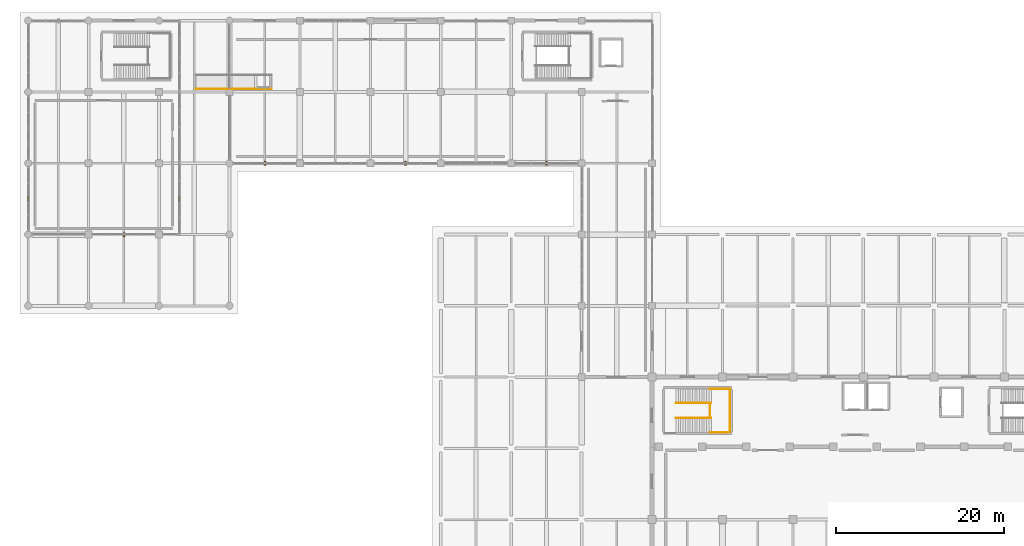
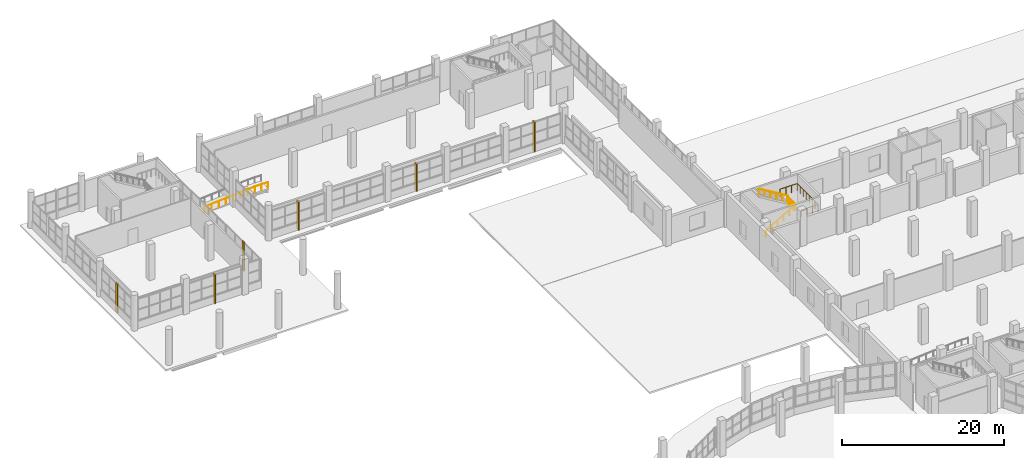
# One storey, part 101 of 107: 6 coverings, 5 railings.
"""IFC4 building model written with IfcOpenShell, lengths in metres."""

from ifc_helpers import new_model, si_unit, direction, frame, origin, origin_2d, place, context, subcontext, project, spatial, rectangle, circle, extrude, material, layer, layer_set, type_object, element, save


model = new_model("IFC4")

# Units and contexts
model_context = context("Model", 3, precision=1e-05, world=origin(), true_north=direction((0.0, 1.0)))
body_context = subcontext(model_context, "Body", "Model", "MODEL_VIEW")
ifc_project = project(units=[si_unit("LENGTHUNIT", "METRE"), si_unit("AREAUNIT", "SQUARE_METRE"), si_unit("VOLUMEUNIT", "CUBIC_METRE"), si_unit("PLANEANGLEUNIT", "RADIAN"), si_unit("MASSUNIT", "GRAM", prefix="KILO")], contexts=[model_context])

# Site, building, storey
site_placement = place(None, origin())
site = spatial("IfcSite", under=ifc_project, at=site_placement, CompositionType="ELEMENT")
building_placement = place(site_placement, origin())
building = spatial("IfcBuilding", under=site, at=building_placement, Name="Solvento Point Concert Hall", CompositionType="ELEMENT")
storey_placement = place(building_placement, origin())
storey = spatial("IfcBuildingStorey", under=building, at=storey_placement, Name="L00", CompositionType="ELEMENT", Elevation=0.0)

# Coverings
ifc_material_1 = material(Name="Precast concrete C45/55", Category="concrete")
ifc_layer = layer(ifc_material_1, 0.179931640625)
ifc_layer_set = layer_set([ifc_layer], Name="Precast concrete C45/55")
covering_type = type_object("IfcCoveringType", Name="BriseSoleilFin_Precast", PredefinedType="CLADDING", material=ifc_layer_set)
covering_1_placement = place(storey_placement, frame((28.20751953125, 119.0, 0.0), z_axis=(0.0, 0.0, 1.0), x_axis=(1.0, 0.0, 0.0)))
element("IfcCovering", 1, at=covering_1_placement, inside=storey, type_object=covering_type, Name="Precast concrete vertical solar fin BSF-01", PredefinedType="CLADDING", context=body_context, shape_type="SweptSolid", body=[
    extrude(rectangle(XDim=0.179931640625, YDim=0.47998046875, at=origin_2d()), origin(), (0.0, 0.0, 1.0), 4.2451171875),
])
covering_2_placement = place(storey_placement, frame((45.0, 119.0, 0.0), z_axis=(0.0, 0.0, 1.0), x_axis=(1.0, 0.0, 0.0)))
element("IfcCovering", 2, at=covering_2_placement, inside=storey, type_object=covering_type, Name="Precast concrete vertical solar fin BSF-01", PredefinedType="CLADDING", context=body_context, shape_type="SweptSolid", body=[
    extrude(rectangle(XDim=0.179931640625, YDim=0.47998046875, at=origin_2d()), origin(), (0.0, 0.0, 1.0), 4.077880859375),
])
covering_3_placement = place(storey_placement, frame((61.800048828125, 119.0, 0.0), z_axis=(0.0, 0.0, 1.0), x_axis=(1.0, 0.0, 0.0)))
element("IfcCovering", 3, at=covering_3_placement, inside=storey, type_object=covering_type, Name="Precast concrete vertical solar fin BSF-01", PredefinedType="CLADDING", context=body_context, shape_type="SweptSolid", body=[
    extrude(rectangle(XDim=0.179931640625, YDim=0.47998046875, at=origin_2d()), origin(), (0.0, 0.0, 1.0), 4.49609375),
])
covering_4_placement = place(storey_placement, frame((18.0, 114.75, 0.0), z_axis=(0.0, 0.0, 1.0), x_axis=(1.0, 0.0, 0.0)))
element("IfcCovering", 4, at=covering_4_placement, inside=storey, type_object=covering_type, Name="Precast concrete vertical solar fin BSF-01", PredefinedType="CLADDING", context=body_context, shape_type="SweptSolid", body=[
    extrude(rectangle(XDim=0.179931640625, YDim=0.47998046875, at=origin_2d()), origin(), (0.0, 0.0, 1.0), 4.333984375),
])
covering_5_placement = place(storey_placement, frame((11.39990234375, 110.5, 0.0), z_axis=(0.0, 0.0, 1.0), x_axis=(1.0, 0.0, 0.0)))
element("IfcCovering", 5, at=covering_5_placement, inside=storey, type_object=covering_type, Name="Precast concrete vertical solar fin BSF-01", PredefinedType="CLADDING", context=body_context, shape_type="SweptSolid", body=[
    extrude(rectangle(XDim=0.179931640625, YDim=0.47998046875, at=origin_2d()), origin(), (0.0, 0.0, 1.0), 4.303955078125),
])
covering_6_placement = place(storey_placement, frame((0.0, 114.75, 0.0), z_axis=(0.0, 0.0, 1.0), x_axis=(1.0, 0.0, 0.0)))
element("IfcCovering", 6, at=covering_6_placement, inside=storey, type_object=covering_type, Name="Precast concrete vertical solar fin BSF-01", PredefinedType="CLADDING", context=body_context, shape_type="SweptSolid", body=[
    extrude(rectangle(XDim=0.179931640625, YDim=0.47998046875, at=origin_2d()), origin(), (0.0, 0.0, 1.0), 4.333984375),
])

# Railings
ifc_material_2 = material(Name="Brushed Stainless Steel Balustrade", Category="steel")
railing_type_1 = type_object("IfcRailingType", Name="StairHandrail_915", PredefinedType="HANDRAIL", material=ifc_material_2)
railing_1_placement = place(storey_placement, frame((77.25, 88.610107421875, 0.168701171875)))
element("IfcRailing", 7, at=railing_1_placement, inside=storey, type_object=railing_type_1, Name="Stair handrail HR-01 VOM-03 L00 F1", PredefinedType="HANDRAIL", context=body_context, shape_type="SweptSolid", body=[
    extrude(circle(Radius=0.0224609375, at=origin_2d()), frame((0.0, 0.0, 0.892578125), z_axis=(0.856476492594, 0.0, 0.516186030065), x_axis=(0.0, 1.0, 0.0)), (0.0, 0.0, 1.0), 4.90380859375),
    extrude(circle(Radius=0.01904296875, at=origin_2d()), origin(), (0.0, 0.0, 1.0), 0.8701171875),
    extrude(circle(Radius=0.01904296875, at=origin_2d()), frame((0.840087890625, 0.0, 0.50634765625)), (0.0, 0.0, 1.0), 0.8701171875),
    extrude(circle(Radius=0.01904296875, at=origin_2d()), frame((1.679931640625, 0.0, 1.012451171875)), (0.0, 0.0, 1.0), 0.8701171875),
    extrude(circle(Radius=0.01904296875, at=origin_2d()), frame((2.52001953125, 0.0, 1.518798828125)), (0.0, 0.0, 1.0), 0.8701171875),
    extrude(circle(Radius=0.01904296875, at=origin_2d()), frame((3.35986328125, 0.0, 2.02490234375)), (0.0, 0.0, 1.0), 0.8701171875),
    extrude(circle(Radius=0.01904296875, at=origin_2d()), frame((4.199951171875, 0.0, 2.53125)), (0.0, 0.0, 1.0), 0.8701171875),
])
railing_2_placement = place(storey_placement, frame((81.449951171875, 90.389892578125, 2.868896484375)))
element("IfcRailing", 8, at=railing_2_placement, inside=storey, type_object=railing_type_1, Name="Stair handrail HR-01 VOM-03 L00 F2", PredefinedType="HANDRAIL", context=body_context, shape_type="SweptSolid", body=[
    extrude(circle(Radius=0.0224609375, at=origin_2d()), frame((0.0, 0.0, 0.892578125), z_axis=(-0.856498503035, 0.0, 0.5161495077), x_axis=(0.0, -1.0, 0.0)), (0.0, 0.0, 1.0), 4.903564453125),
    extrude(circle(Radius=0.01904296875, at=origin_2d()), origin(), (0.0, 0.0, 1.0), 0.8701171875),
    extrude(circle(Radius=0.01904296875, at=origin_2d()), frame((-0.840087890625, 0.0, 0.506103515625)), (0.0, 0.0, 1.0), 0.8701171875),
    extrude(circle(Radius=0.01904296875, at=origin_2d()), frame((-1.679931640625, 0.0, 1.012451171875)), (0.0, 0.0, 1.0), 0.8701171875),
    extrude(circle(Radius=0.01904296875, at=origin_2d()), frame((-2.52001953125, 0.0, 1.5185546875)), (0.0, 0.0, 1.0), 0.8701171875),
    extrude(circle(Radius=0.01904296875, at=origin_2d()), frame((-3.35986328125, 0.0, 2.02490234375)), (0.0, 0.0, 1.0), 0.8701171875),
    extrude(circle(Radius=0.01904296875, at=origin_2d()), frame((-4.199951171875, 0.0, 2.531005859375)), (0.0, 0.0, 1.0), 0.8701171875),
])
railing_3_placement = place(storey_placement, frame((20.0, 127.860107421875, 0.0)))
element("IfcRailing", 9, at=railing_3_placement, inside=storey, type_object=railing_type_1, Name="Accessible ramp handrail HR-01 RMP-H3", PredefinedType="HANDRAIL", context=body_context, shape_type="SweptSolid", body=[
    extrude(circle(Radius=0.02099609375, at=origin_2d()), frame((0.0, 0.0, 0.89404296875), z_axis=(0.997094523106, 0.0, 0.076174221307), x_axis=(0.0, 1.0, 0.0)), (0.0, 0.0, 1.0), 7.220947265625),
    extrude(circle(Radius=0.02099609375, at=origin_2d()), frame((7.199951171875, 0.0, 1.444091796875), z_axis=(1.0, 0.0, 0.0), x_axis=(0.0, 1.0, 0.0)), (0.0, 0.0, 1.0), 1.85009765625),
    extrude(circle(Radius=0.01904296875, at=origin_2d()), origin(), (0.0, 0.0, 1.0), 0.873046875),
    extrude(circle(Radius=0.01904296875, at=origin_2d()), frame((1.028564453125, 0.0, 0.07861328125)), (0.0, 0.0, 1.0), 0.873046875),
    extrude(circle(Radius=0.01904296875, at=origin_2d()), frame((2.05712890625, 0.0, 0.1572265625)), (0.0, 0.0, 1.0), 0.873046875),
    extrude(circle(Radius=0.01904296875, at=origin_2d()), frame((3.085693359375, 0.0, 0.23583984375)), (0.0, 0.0, 1.0), 0.873046875),
    extrude(circle(Radius=0.01904296875, at=origin_2d()), frame((4.1142578125, 0.0, 0.314208984375)), (0.0, 0.0, 1.0), 0.873046875),
    extrude(circle(Radius=0.01904296875, at=origin_2d()), frame((5.142822265625, 0.0, 0.392822265625)), (0.0, 0.0, 1.0), 0.873046875),
    extrude(circle(Radius=0.01904296875, at=origin_2d()), frame((6.17138671875, 0.0, 0.471435546875)), (0.0, 0.0, 1.0), 0.873046875),
    extrude(circle(Radius=0.01904296875, at=origin_2d()), frame((7.199951171875, 0.0, 0.550048828125)), (0.0, 0.0, 1.0), 0.873046875),
    extrude(circle(Radius=0.01904296875, at=origin_2d()), frame((8.125, 0.0, 0.550048828125)), (0.0, 0.0, 1.0), 0.873046875),
    extrude(circle(Radius=0.01904296875, at=origin_2d()), frame((9.050048828125, 0.0, 0.550048828125)), (0.0, 0.0, 1.0), 0.873046875),
])
ifc_material_3 = material(Name="Brushed Stainless Steel Balustrade", Category="steel")
railing_type_2 = type_object("IfcRailingType", Name="StairWellGuard_1100", PredefinedType="BALUSTRADE", material=ifc_material_3)
railing_4_placement = place(storey_placement, frame((81.280029296875, 86.89990234375, 2.699951171875)))
element("IfcRailing", 10, at=railing_4_placement, inside=storey, type_object=railing_type_2, Name="Half-landing perimeter guard GR-02 VOM-03 L00", PredefinedType="BALUSTRADE", context=body_context, shape_type="SweptSolid", body=[
    extrude(circle(Radius=0.02392578125, at=origin_2d()), frame((0.0, 0.0, 1.09619140625), z_axis=(0.999965782141, 0.008272517568, 0.0), x_axis=(-0.008272517568, 0.999965782141, 0.0)), (0.0, 0.0, 1.0), 2.419921875),
    extrude(circle(Radius=0.02392578125, at=origin_2d()), frame((2.419921875, 0.02001953125, 1.09619140625), z_axis=(0.0, 1.0, 0.0), x_axis=(-1.0, 0.0, 0.0)), (0.0, 0.0, 1.0), 5.16015625),
    extrude(circle(Radius=0.02392578125, at=origin_2d()), frame((2.419921875, 5.18017578125, 1.09619140625), z_axis=(-0.999965782141, 0.008272517568, 0.0), x_axis=(-0.008272517568, -0.999965782141, 0.0)), (0.0, 0.0, 1.0), 2.419921875),
    extrude(circle(Radius=0.02099609375, at=origin_2d()), origin(), (0.0, 0.0, 1.0), 1.072021484375),
    extrude(circle(Radius=0.02099609375, at=origin_2d()), frame((0.806640625, 0.006591796875, 0.0)), (0.0, 0.0, 1.0), 1.072021484375),
    extrude(circle(Radius=0.02099609375, at=origin_2d()), frame((1.61328125, 0.013427734375, 0.0)), (0.0, 0.0, 1.0), 1.072021484375),
    extrude(circle(Radius=0.02099609375, at=origin_2d()), frame((2.419921875, 0.02001953125, 0.0)), (0.0, 0.0, 1.0), 1.072021484375),
    extrude(circle(Radius=0.02099609375, at=origin_2d()), frame((2.419921875, 0.757080078125, 0.0)), (0.0, 0.0, 1.0), 1.072021484375),
    extrude(circle(Radius=0.02099609375, at=origin_2d()), frame((2.419921875, 1.494384765625, 0.0)), (0.0, 0.0, 1.0), 1.072021484375),
    extrude(circle(Radius=0.02099609375, at=origin_2d()), frame((2.419921875, 2.2314453125, 0.0)), (0.0, 0.0, 1.0), 1.072021484375),
    extrude(circle(Radius=0.02099609375, at=origin_2d()), frame((2.419921875, 2.96875, 0.0)), (0.0, 0.0, 1.0), 1.072021484375),
    extrude(circle(Radius=0.02099609375, at=origin_2d()), frame((2.419921875, 3.705810546875, 0.0)), (0.0, 0.0, 1.0), 1.072021484375),
    extrude(circle(Radius=0.02099609375, at=origin_2d()), frame((2.419921875, 4.443115234375, 0.0)), (0.0, 0.0, 1.0), 1.072021484375),
    extrude(circle(Radius=0.02099609375, at=origin_2d()), frame((2.419921875, 5.18017578125, 0.0)), (0.0, 0.0, 1.0), 1.072021484375),
    extrude(circle(Radius=0.02099609375, at=origin_2d()), frame((1.61328125, 5.186767578125, 0.0)), (0.0, 0.0, 1.0), 1.072021484375),
    extrude(circle(Radius=0.02099609375, at=origin_2d()), frame((0.806640625, 5.193603515625, 0.0)), (0.0, 0.0, 1.0), 1.072021484375),
    extrude(circle(Radius=0.02099609375, at=origin_2d()), frame((0.0, 5.2001953125, 0.0)), (0.0, 0.0, 1.0), 1.072021484375),
])
railing_5_placement = place(storey_placement, frame((81.280029296875, 88.659912109375, 2.699951171875)))
element("IfcRailing", 11, at=railing_5_placement, inside=storey, type_object=railing_type_2, Name="Half-landing slot guard GR-02 VOM-03 L00", PredefinedType="BALUSTRADE", context=body_context, shape_type="SweptSolid", body=[
    extrude(circle(Radius=0.02392578125, at=origin_2d()), frame((0.0, 0.0, 1.09619140625), z_axis=(0.0, 1.0, 0.0), x_axis=(-1.0, 0.0, 0.0)), (0.0, 0.0, 1.0), 1.68017578125),
    extrude(circle(Radius=0.02099609375, at=origin_2d()), origin(), (0.0, 0.0, 1.0), 1.072021484375),
    extrude(circle(Radius=0.02099609375, at=origin_2d()), frame((0.0, 0.56005859375, 0.0)), (0.0, 0.0, 1.0), 1.072021484375),
    extrude(circle(Radius=0.02099609375, at=origin_2d()), frame((0.0, 1.1201171875, 0.0)), (0.0, 0.0, 1.0), 1.072021484375),
    extrude(circle(Radius=0.02099609375, at=origin_2d()), frame((0.0, 1.68017578125, 0.0)), (0.0, 0.0, 1.0), 1.072021484375),
])

save(model, "model.ifc")
